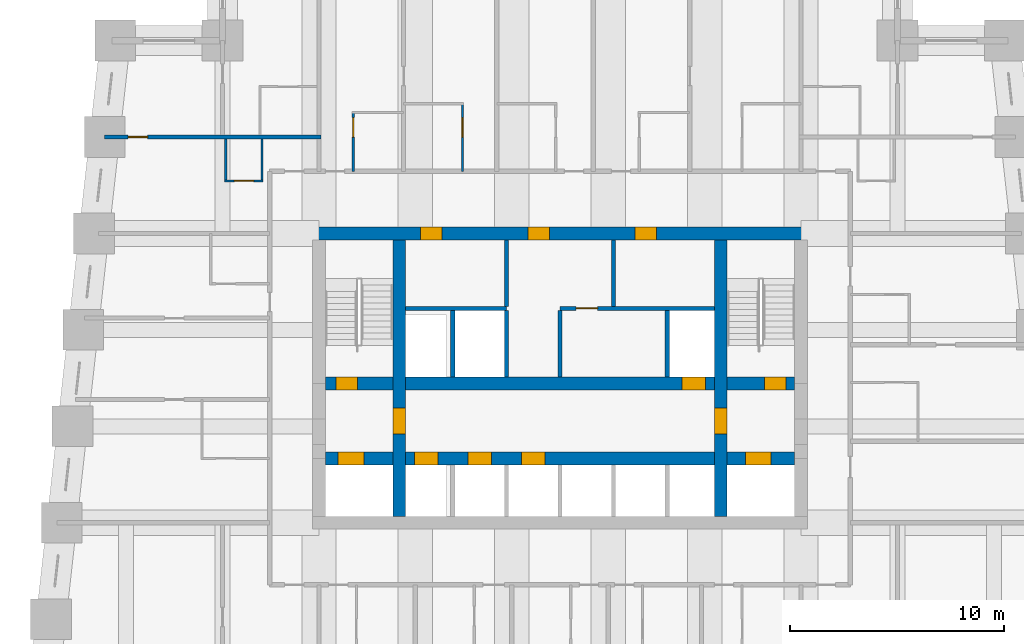
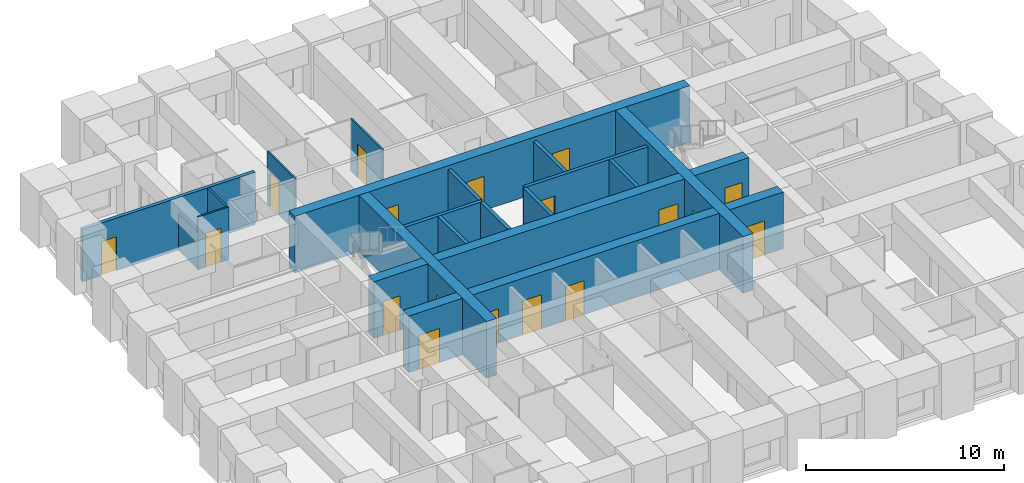
# One storey, part 4 of 8: 19 walls, 18 doors, 18 openings.
"""IFC4 building model written with IfcOpenShell, lengths in metres."""

from ifc_helpers import new_model, si_unit, direction, frame, frame_2d, origin, place, context, subcontext, project, spatial, rectangle, extrude, material, layer, layer_set, type_object, element, fill, save


model = new_model("IFC4")

# Units and contexts
model_context = context("Model", 3, precision=1e-05, world=origin(), true_north=direction((0.0, 1.0)))
body_context = subcontext(model_context, "Body", "Model", "MODEL_VIEW")
ifc_project = project(units=[si_unit("LENGTHUNIT", "METRE"), si_unit("AREAUNIT", "SQUARE_METRE"), si_unit("VOLUMEUNIT", "CUBIC_METRE"), si_unit("PLANEANGLEUNIT", "RADIAN"), si_unit("MASSUNIT", "GRAM", prefix="KILO")], contexts=[model_context])

# Site, building, storey
site_placement = place(None, origin())
site = spatial("IfcSite", under=ifc_project, at=site_placement, CompositionType="ELEMENT")
building_placement = place(site_placement, origin())
building = spatial("IfcBuilding", under=site, at=building_placement, Name="Kilele Tower Hotel", CompositionType="ELEMENT")
storey_placement = place(building_placement, frame((0.0, 0.0, 64.699951171875)))
storey = spatial("IfcBuildingStorey", under=building, at=storey_placement, Name="L15", CompositionType="ELEMENT", Elevation=64.699951171875)

# Wall, opening, door
ifc_material_1 = material(Name="Moisture-resistant board")
ifc_layer_1 = layer(ifc_material_1, 0.10009765625)
ifc_layer_set_1 = layer_set([ifc_layer_1], Name="Moisture-resistant board")
wall_type_1 = type_object("IfcWallType", Name="Bathroom partition 100", PredefinedType="PLUMBINGWALL", material=ifc_layer_set_1)
wall_1_placement = place(storey_placement, frame((15.10009765625, 29.89990234375, 0.0), z_axis=(0.0, 0.0, 1.0), x_axis=(0.0, 1.0, 0.0)))
wall_1 = element("IfcWall", 1, at=wall_1_placement, inside=storey, type_object=wall_type_1, Name="Bathroom partition 100 L15", PredefinedType="PLUMBINGWALL", context=body_context, shape_type="SweptSolid", body=[
    extrude(rectangle(XDim=2.800048828125, YDim=0.10009765625, at=frame_2d((1.39990234375, 0.0))), origin(), (0.0, 0.0, 1.0), 3.25),
])
opening_1_placement = place(wall_1_placement, frame((1.60009765625, 0.0, 0.0)))
opening_1 = element("IfcOpeningElement", 2, at=opening_1_placement, cuts=wall_1, Name="Opening D2A", PredefinedType="OPENING", context=body_context, shape_type="SweptSolid", body=[
    extrude(rectangle(XDim=0.89990234375, YDim=2.10009765625, at=frame_2d((0.449951171875, 1.050048828125))), frame((0.0, 0.06005859375, 0.0), z_axis=(0.0, -1.0, 0.0), x_axis=(1.0, 0.0, 0.0)), (0.0, 0.0, 1.0), 0.1201171875),
])
ifc_material_2 = material(Name="Timber door leaf in hardwood frame", Category="wood")
door_type_1 = type_object("IfcDoorType", Name="Bathroom door 900", OperationType="SINGLE_SWING_LEFT", PredefinedType="DOOR", material=ifc_material_2)
door_1_placement = place(opening_1_placement, origin())
door_1 = element("IfcDoor", 3, at=door_1_placement, inside=storey, type_object=door_type_1, Name="Bathroom door 1509B", OperationType="SINGLE_SWING_LEFT", OverallHeight=2.10009765625, OverallWidth=0.89990234375, PredefinedType="DOOR", context=body_context, shape_type="SweptSolid", body=[
    extrude(rectangle(XDim=0.89990234375, YDim=2.10009765625, at=frame_2d((0.449951171875, 1.050048828125))), frame((0.0, 0.02490234375, 0.0), z_axis=(0.0, -1.0, 0.0), x_axis=(1.0, 0.0, 0.0)), (0.0, 0.0, 1.0), 0.050048828125),
])
fill(opening_1, door_1)

wall_2_placement = place(storey_placement, frame((20.199951171875, 29.89990234375, 0.0), z_axis=(0.0, 0.0, 1.0), x_axis=(0.0, 1.0, 0.0)))
wall_2 = element("IfcWall", 4, at=wall_2_placement, inside=storey, type_object=wall_type_1, Name="Bathroom partition 100 L15", PredefinedType="PLUMBINGWALL", context=body_context, shape_type="SweptSolid", body=[
    extrude(rectangle(XDim=3.2001953125, YDim=0.10009765625, at=frame_2d((1.60009765625, 0.0))), origin(), (0.0, 0.0, 1.0), 3.25),
])
opening_2_placement = place(wall_2_placement, frame((2.5, 0.0, 0.0), z_axis=(0.0, 0.0, 1.0), x_axis=(-1.0, 0.0, 0.0)))
opening_2 = element("IfcOpeningElement", 5, at=opening_2_placement, cuts=wall_2, Name="Opening D2A", PredefinedType="OPENING", context=body_context, shape_type="SweptSolid", body=[
    extrude(rectangle(XDim=0.89990234375, YDim=2.10009765625, at=frame_2d((0.449951171875, 1.050048828125))), frame((0.0, 0.06005859375, 0.0), z_axis=(0.0, -1.0, 0.0), x_axis=(1.0, 0.0, 0.0)), (0.0, 0.0, 1.0), 0.1201171875),
])
door_2_placement = place(opening_2_placement, origin())
door_2 = element("IfcDoor", 6, at=door_2_placement, inside=storey, type_object=door_type_1, Name="Bathroom door 1510B", OperationType="SINGLE_SWING_RIGHT", OverallHeight=2.10009765625, OverallWidth=0.89990234375, PredefinedType="DOOR", context=body_context, shape_type="SweptSolid", body=[
    extrude(rectangle(XDim=0.89990234375, YDim=2.10009765625, at=frame_2d((0.449951171875, 1.050048828125))), frame((0.0, 0.02490234375, 0.0), z_axis=(0.0, -1.0, 0.0), x_axis=(1.0, 0.0, 0.0)), (0.0, 0.0, 1.0), 0.050048828125),
])
fill(opening_2, door_2)

# Walls
wall_3_placement = place(storey_placement, frame((9.14990234375, 31.39990234375, 0.0), z_axis=(0.0, 0.0, 1.0), x_axis=(0.0, -1.0, 0.0)))
element("IfcWall", 7, at=wall_3_placement, inside=storey, type_object=wall_type_1, Name="Bathroom partition 100 L15", PredefinedType="PLUMBINGWALL", context=body_context, shape_type="SweptSolid", body=[
    extrude(rectangle(XDim=2.0, YDim=0.10009765625, at=frame_2d((1.0, 0.0))), origin(), (0.0, 0.0, 1.0), 2.25),
])
wall_4_placement = place(storey_placement, frame((10.85009765625, 31.39990234375, 0.0), z_axis=(0.0, 0.0, 1.0), x_axis=(0.0, -1.0, 0.0)))
element("IfcWall", 8, at=wall_4_placement, inside=storey, type_object=wall_type_1, Name="Bathroom partition 100 L15", PredefinedType="PLUMBINGWALL", context=body_context, shape_type="SweptSolid", body=[
    extrude(rectangle(XDim=2.0, YDim=0.10009765625, at=frame_2d((1.0, 0.0))), origin(), (0.0, 0.0, 1.0), 3.25),
])

# Wall, opening, door
wall_5_placement = place(storey_placement, frame((10.89990234375, 29.449951171875, 0.0), z_axis=(0.0, 0.0, 1.0), x_axis=(-1.0, 0.0, 0.0)))
wall_5 = element("IfcWall", 9, at=wall_5_placement, inside=storey, type_object=wall_type_1, Name="Bathroom partition 100 L15", PredefinedType="PLUMBINGWALL", context=body_context, shape_type="SweptSolid", body=[
    extrude(rectangle(XDim=1.7998046875, YDim=0.10009765625, at=frame_2d((0.89990234375, 0.0))), origin(), (0.0, 0.0, 1.0), 3.25),
])
opening_3_placement = place(wall_5_placement, frame((0.449951171875, 0.0, 0.0)))
opening_3 = element("IfcOpeningElement", 10, at=opening_3_placement, cuts=wall_5, Name="Opening D2A", PredefinedType="OPENING", context=body_context, shape_type="SweptSolid", body=[
    extrude(rectangle(XDim=0.89990234375, YDim=2.10009765625, at=frame_2d((0.449951171875, 1.050048828125))), frame((0.0, 0.06005859375, 0.0), z_axis=(0.0, -1.0, 0.0), x_axis=(1.0, 0.0, 0.0)), (0.0, 0.0, 1.0), 0.1201171875),
])
door_3_placement = place(opening_3_placement, origin())
door_3 = element("IfcDoor", 11, at=door_3_placement, inside=storey, type_object=door_type_1, Name="Bathroom door 1526P", OperationType="SINGLE_SWING_LEFT", OverallHeight=2.10009765625, OverallWidth=0.89990234375, PredefinedType="DOOR", context=body_context, shape_type="SweptSolid", body=[
    extrude(rectangle(XDim=0.89990234375, YDim=2.10009765625, at=frame_2d((0.449951171875, 1.050048828125))), frame((0.0, 0.02490234375, 0.0), z_axis=(0.0, -1.0, 0.0), x_axis=(1.0, 0.0, 0.0)), (0.0, 0.0, 1.0), 0.050048828125),
])
fill(opening_3, door_3)

# Wall, openings, doors
ifc_material_3 = material(Name="Concrete C60/75", Category="concrete")
ifc_layer_2 = layer(ifc_material_3, 0.60009765625)
ifc_layer_set_2 = layer_set([ifc_layer_2], Name="Concrete C60/75")
wall_type_2 = type_object("IfcWallType", Name="Core wall 600 C60/75", PredefinedType="SHEAR", material=ifc_layer_set_2)
wall_6_placement = place(storey_placement, frame((36.300048828125, 27.0, 0.0), z_axis=(0.0, 0.0, 1.0), x_axis=(-1.0, 0.0, 0.0)))
wall_6 = element("IfcWall", 12, at=wall_6_placement, inside=storey, type_object=wall_type_2, Name="Core wall N L15", PredefinedType="SHEAR", context=body_context, shape_type="SweptSolid", body=[
    extrude(rectangle(XDim=23.10009765625, YDim=0.60009765625, at=frame_2d((11.550048828125, 0.0))), origin(), (0.0, 0.0, 1.0), 3.5),
])
opening_4_placement = place(wall_6_placement, frame((17.050048828125, 0.0, 0.0)))
opening_4 = element("IfcOpeningElement", 13, at=opening_4_placement, cuts=wall_6, Name="Opening D6", PredefinedType="OPENING", context=body_context, shape_type="SweptSolid", body=[
    extrude(rectangle(XDim=1.0, YDim=2.10009765625, at=frame_2d((0.5, 1.050048828125))), frame((0.0, 0.31005859375, 0.0), z_axis=(0.0, -1.0, 0.0), x_axis=(1.0, 0.0, 0.0)), (0.0, 0.0, 1.0), 0.6201171875),
])
opening_5_placement = place(wall_6_placement, frame((12.050048828125, 0.0, 0.0)))
opening_5 = element("IfcOpeningElement", 14, at=opening_5_placement, cuts=wall_6, Name="Opening D6", PredefinedType="OPENING", context=body_context, shape_type="SweptSolid", body=[
    extrude(rectangle(XDim=1.0, YDim=2.10009765625, at=frame_2d((0.5, 1.050048828125))), frame((0.0, 0.31005859375, 0.0), z_axis=(0.0, -1.0, 0.0), x_axis=(1.0, 0.0, 0.0)), (0.0, 0.0, 1.0), 0.6201171875),
])
opening_6_placement = place(wall_6_placement, frame((7.050048828125, 0.0, 0.0)))
opening_6 = element("IfcOpeningElement", 15, at=opening_6_placement, cuts=wall_6, Name="Opening D6", PredefinedType="OPENING", context=body_context, shape_type="SweptSolid", body=[
    extrude(rectangle(XDim=1.0, YDim=2.10009765625, at=frame_2d((0.5, 1.050048828125))), frame((0.0, 0.31005859375, 0.0), z_axis=(0.0, -1.0, 0.0), x_axis=(1.0, 0.0, 0.0)), (0.0, 0.0, 1.0), 0.6201171875),
])
ifc_material_4 = material(Name="Timber door leaf in hardwood frame", Category="wood")
door_type_2 = type_object("IfcDoorType", Name="Riser door 1000", OperationType="SINGLE_SWING_LEFT", PredefinedType="DOOR", material=ifc_material_4)
door_4_placement = place(opening_4_placement, origin())
door_4 = element("IfcDoor", 16, at=door_4_placement, inside=storey, type_object=door_type_2, Name="Service riser door L15", OperationType="SINGLE_SWING_RIGHT", OverallHeight=2.10009765625, OverallWidth=1.0, PredefinedType="DOOR", context=body_context, shape_type="SweptSolid", body=[
    extrude(rectangle(XDim=1.0, YDim=2.10009765625, at=frame_2d((0.5, 1.050048828125))), frame((0.0, 0.2998046875, 0.0), z_axis=(0.0, -1.0, 0.0), x_axis=(1.0, 0.0, 0.0)), (0.0, 0.0, 1.0), 0.599609375),
])
fill(opening_4, door_4)
door_5_placement = place(opening_5_placement, origin())
door_5 = element("IfcDoor", 17, at=door_5_placement, inside=storey, type_object=door_type_2, Name="Linen store door L15", OperationType="SINGLE_SWING_RIGHT", OverallHeight=2.10009765625, OverallWidth=1.0, PredefinedType="DOOR", context=body_context, shape_type="SweptSolid", body=[
    extrude(rectangle(XDim=1.0, YDim=2.10009765625, at=frame_2d((0.5, 1.050048828125))), frame((0.0, 0.2998046875, 0.0), z_axis=(0.0, -1.0, 0.0), x_axis=(1.0, 0.0, 0.0)), (0.0, 0.0, 1.0), 0.599609375),
])
fill(opening_5, door_5)
door_6_placement = place(opening_6_placement, origin())
door_6 = element("IfcDoor", 18, at=door_6_placement, inside=storey, type_object=door_type_2, Name="Electrical riser door L15", OperationType="SINGLE_SWING_RIGHT", OverallHeight=2.10009765625, OverallWidth=1.0, PredefinedType="DOOR", context=body_context, shape_type="SweptSolid", body=[
    extrude(rectangle(XDim=1.0, YDim=2.10009765625, at=frame_2d((0.5, 1.050048828125))), frame((0.0, 0.2998046875, 0.0), z_axis=(0.0, -1.0, 0.0), x_axis=(1.0, 0.0, 0.0)), (0.0, 0.0, 1.0), 0.599609375),
])
fill(opening_6, door_6)

# Wall, opening, door
wall_7_placement = place(storey_placement, frame((17.25, 13.800048828125, 0.0), z_axis=(0.0, 0.0, 1.0), x_axis=(0.0, 1.0, 0.0)))
wall_7 = element("IfcWall", 19, at=wall_7_placement, inside=storey, type_object=wall_type_2, Name="Core wall IW L15", PredefinedType="SHEAR", context=body_context, shape_type="SweptSolid", body=[
    extrude(rectangle(XDim=12.89990234375, YDim=0.60009765625, at=frame_2d((6.449951171875, 0.0))), origin(), (0.0, 0.0, 1.0), 3.5),
])
opening_7_placement = place(wall_7_placement, frame((3.85009765625, 0.0, 0.0)))
opening_7 = element("IfcOpeningElement", 20, at=opening_7_placement, cuts=wall_7, Name="Opening D4", PredefinedType="OPENING", context=body_context, shape_type="SweptSolid", body=[
    extrude(rectangle(XDim=1.199951171875, YDim=2.10009765625, at=frame_2d((0.60009765625, 1.050048828125))), frame((0.0, 0.31005859375, 0.0), z_axis=(0.0, -1.0, 0.0), x_axis=(1.0, 0.0, 0.0)), (0.0, 0.0, 1.0), 0.6201171875),
])
ifc_material_5 = material(Name="Timber door leaf in hardwood frame", Category="wood")
door_type_3 = type_object("IfcDoorType", Name="Firefighting lobby door 1200", OperationType="SINGLE_SWING_LEFT", PredefinedType="DOOR", material=ifc_material_5)
door_7_placement = place(opening_7_placement, origin())
door_7 = element("IfcDoor", 21, at=door_7_placement, inside=storey, type_object=door_type_3, Name="Lobby door L15", OperationType="SINGLE_SWING_LEFT", OverallHeight=2.10009765625, OverallWidth=1.199951171875, PredefinedType="DOOR", context=body_context, shape_type="SweptSolid", body=[
    extrude(rectangle(XDim=1.199951171875, YDim=2.10009765625, at=frame_2d((0.60009765625, 1.050048828125))), frame((0.0, 0.2998046875, 0.0), z_axis=(0.0, -1.0, 0.0), x_axis=(1.0, 0.0, 0.0)), (0.0, 0.0, 1.0), 0.599609375),
])
fill(opening_7, door_7)

wall_8_placement = place(storey_placement, frame((32.25, 13.800048828125, 0.0), z_axis=(0.0, 0.0, 1.0), x_axis=(0.0, 1.0, 0.0)))
wall_8 = element("IfcWall", 22, at=wall_8_placement, inside=storey, type_object=wall_type_2, Name="Core wall IE L15", PredefinedType="SHEAR", context=body_context, shape_type="SweptSolid", body=[
    extrude(rectangle(XDim=12.89990234375, YDim=0.60009765625, at=frame_2d((6.449951171875, 0.0))), origin(), (0.0, 0.0, 1.0), 3.5),
])
opening_8_placement = place(wall_8_placement, frame((5.050048828125, 0.0, 0.0), z_axis=(0.0, 0.0, 1.0), x_axis=(-1.0, 0.0, 0.0)))
opening_8 = element("IfcOpeningElement", 23, at=opening_8_placement, cuts=wall_8, Name="Opening D4", PredefinedType="OPENING", context=body_context, shape_type="SweptSolid", body=[
    extrude(rectangle(XDim=1.199951171875, YDim=2.10009765625, at=frame_2d((0.60009765625, 1.050048828125))), frame((0.0, 0.31005859375, 0.0), z_axis=(0.0, -1.0, 0.0), x_axis=(1.0, 0.0, 0.0)), (0.0, 0.0, 1.0), 0.6201171875),
])
door_8_placement = place(opening_8_placement, origin())
door_8 = element("IfcDoor", 24, at=door_8_placement, inside=storey, type_object=door_type_3, Name="Lobby door L15", OperationType="SINGLE_SWING_RIGHT", OverallHeight=2.10009765625, OverallWidth=1.199951171875, PredefinedType="DOOR", context=body_context, shape_type="SweptSolid", body=[
    extrude(rectangle(XDim=1.199951171875, YDim=2.10009765625, at=frame_2d((0.60009765625, 1.050048828125))), frame((0.0, 0.2998046875, 0.0), z_axis=(0.0, -1.0, 0.0), x_axis=(1.0, 0.0, 0.0)), (0.0, 0.0, 1.0), 0.599609375),
])
fill(opening_8, door_8)

# Wall, openings, doors
wall_9_placement = place(storey_placement, frame((13.800048828125, 16.5, 0.0), z_axis=(0.0, 0.0, 1.0), x_axis=(1.0, 0.0, 0.0)))
wall_9 = element("IfcWall", 25, at=wall_9_placement, inside=storey, type_object=wall_type_2, Name="Core wall LS L15", PredefinedType="SHEAR", context=body_context, shape_type="SweptSolid", body=[
    extrude(rectangle(XDim=21.89990234375, YDim=0.60009765625, at=frame_2d((10.949951171875, 0.0))), origin(), (0.0, 0.0, 1.0), 3.5),
])
opening_9_placement = place(wall_9_placement, frame((4.14990234375, 0.0, 0.0)))
opening_9 = element("IfcOpeningElement", 26, at=opening_9_placement, cuts=wall_9, Name="Opening LD1", PredefinedType="OPENING", context=body_context, shape_type="SweptSolid", body=[
    extrude(rectangle(XDim=1.10009765625, YDim=2.10009765625, at=frame_2d((0.550048828125, 1.050048828125))), frame((0.0, 0.31005859375, 0.0), z_axis=(0.0, -1.0, 0.0), x_axis=(1.0, 0.0, 0.0)), (0.0, 0.0, 1.0), 0.6201171875),
])
opening_10_placement = place(wall_9_placement, frame((6.64990234375, 0.0, 0.0)))
opening_10 = element("IfcOpeningElement", 27, at=opening_10_placement, cuts=wall_9, Name="Opening LD1", PredefinedType="OPENING", context=body_context, shape_type="SweptSolid", body=[
    extrude(rectangle(XDim=1.10009765625, YDim=2.10009765625, at=frame_2d((0.550048828125, 1.050048828125))), frame((0.0, 0.31005859375, 0.0), z_axis=(0.0, -1.0, 0.0), x_axis=(1.0, 0.0, 0.0)), (0.0, 0.0, 1.0), 0.6201171875),
])
opening_11_placement = place(wall_9_placement, frame((9.14990234375, 0.0, 0.0)))
opening_11 = element("IfcOpeningElement", 28, at=opening_11_placement, cuts=wall_9, Name="Opening LD1", PredefinedType="OPENING", context=body_context, shape_type="SweptSolid", body=[
    extrude(rectangle(XDim=1.10009765625, YDim=2.10009765625, at=frame_2d((0.550048828125, 1.050048828125))), frame((0.0, 0.31005859375, 0.0), z_axis=(0.0, -1.0, 0.0), x_axis=(1.0, 0.0, 0.0)), (0.0, 0.0, 1.0), 0.6201171875),
])
opening_12_placement = place(wall_9_placement, frame((0.60009765625, 0.0, 0.0)))
opening_12 = element("IfcOpeningElement", 29, at=opening_12_placement, cuts=wall_9, Name="Opening LD2", PredefinedType="OPENING", context=body_context, shape_type="SweptSolid", body=[
    extrude(rectangle(XDim=1.199951171875, YDim=2.10009765625, at=frame_2d((0.60009765625, 1.050048828125))), frame((0.0, 0.31005859375, 0.0), z_axis=(0.0, -1.0, 0.0), x_axis=(1.0, 0.0, 0.0)), (0.0, 0.0, 1.0), 0.6201171875),
])
opening_13_placement = place(wall_9_placement, frame((19.60009765625, 0.0, 0.0)))
opening_13 = element("IfcOpeningElement", 30, at=opening_13_placement, cuts=wall_9, Name="Opening LD2", PredefinedType="OPENING", context=body_context, shape_type="SweptSolid", body=[
    extrude(rectangle(XDim=1.199951171875, YDim=2.10009765625, at=frame_2d((0.60009765625, 1.050048828125))), frame((0.0, 0.31005859375, 0.0), z_axis=(0.0, -1.0, 0.0), x_axis=(1.0, 0.0, 0.0)), (0.0, 0.0, 1.0), 0.6201171875),
])
ifc_material_6 = material(Name="Steel lift landing door", Category="steel")
door_type_4 = type_object("IfcDoorType", Name="Firefighting lift landing door 1200", OperationType="SLIDING_TO_LEFT", PredefinedType="DOOR", material=ifc_material_6)
door_9_placement = place(opening_12_placement, origin())
door_9 = element("IfcDoor", 31, at=door_9_placement, inside=storey, type_object=door_type_4, Name="Landing door FFW L15", OperationType="SLIDING_TO_LEFT", OverallHeight=2.10009765625, OverallWidth=1.199951171875, PredefinedType="DOOR", context=body_context, shape_type="SweptSolid", body=[
    extrude(rectangle(XDim=1.199951171875, YDim=2.10009765625, at=frame_2d((0.60009765625, 1.050048828125))), frame((0.0, 0.2998046875, 0.0), z_axis=(0.0, -1.0, 0.0), x_axis=(1.0, 0.0, 0.0)), (0.0, 0.0, 1.0), 0.599609375),
])
fill(opening_12, door_9)
door_10_placement = place(opening_13_placement, origin())
door_10 = element("IfcDoor", 32, at=door_10_placement, inside=storey, type_object=door_type_4, Name="Landing door FFE L15", OperationType="SLIDING_TO_LEFT", OverallHeight=2.10009765625, OverallWidth=1.199951171875, PredefinedType="DOOR", context=body_context, shape_type="SweptSolid", body=[
    extrude(rectangle(XDim=1.199951171875, YDim=2.10009765625, at=frame_2d((0.60009765625, 1.050048828125))), frame((0.0, 0.2998046875, 0.0), z_axis=(0.0, -1.0, 0.0), x_axis=(1.0, 0.0, 0.0)), (0.0, 0.0, 1.0), 0.599609375),
])
fill(opening_13, door_10)
ifc_material_7 = material(Name="Steel lift landing door", Category="steel")
door_type_5 = type_object("IfcDoorType", Name="Lift landing door 1100", OperationType="SLIDING_TO_LEFT", PredefinedType="DOOR", material=ifc_material_7)
door_11_placement = place(opening_9_placement, origin())
door_11 = element("IfcDoor", 33, at=door_11_placement, inside=storey, type_object=door_type_5, Name="Landing door L1 L15", OperationType="SLIDING_TO_LEFT", OverallHeight=2.10009765625, OverallWidth=1.10009765625, PredefinedType="DOOR", context=body_context, shape_type="SweptSolid", body=[
    extrude(rectangle(XDim=1.10009765625, YDim=2.10009765625, at=frame_2d((0.550048828125, 1.050048828125))), frame((0.0, 0.2998046875, 0.0), z_axis=(0.0, -1.0, 0.0), x_axis=(1.0, 0.0, 0.0)), (0.0, 0.0, 1.0), 0.599609375),
])
fill(opening_9, door_11)
door_12_placement = place(opening_10_placement, origin())
door_12 = element("IfcDoor", 34, at=door_12_placement, inside=storey, type_object=door_type_5, Name="Landing door L2 L15", OperationType="SLIDING_TO_LEFT", OverallHeight=2.10009765625, OverallWidth=1.10009765625, PredefinedType="DOOR", context=body_context, shape_type="SweptSolid", body=[
    extrude(rectangle(XDim=1.10009765625, YDim=2.10009765625, at=frame_2d((0.550048828125, 1.050048828125))), frame((0.0, 0.2998046875, 0.0), z_axis=(0.0, -1.0, 0.0), x_axis=(1.0, 0.0, 0.0)), (0.0, 0.0, 1.0), 0.599609375),
])
fill(opening_10, door_12)
door_13_placement = place(opening_11_placement, origin())
door_13 = element("IfcDoor", 35, at=door_13_placement, inside=storey, type_object=door_type_5, Name="Landing door L3 L15", OperationType="SLIDING_TO_LEFT", OverallHeight=2.10009765625, OverallWidth=1.10009765625, PredefinedType="DOOR", context=body_context, shape_type="SweptSolid", body=[
    extrude(rectangle(XDim=1.10009765625, YDim=2.10009765625, at=frame_2d((0.550048828125, 1.050048828125))), frame((0.0, 0.2998046875, 0.0), z_axis=(0.0, -1.0, 0.0), x_axis=(1.0, 0.0, 0.0)), (0.0, 0.0, 1.0), 0.599609375),
])
fill(opening_11, door_13)

wall_10_placement = place(storey_placement, frame((13.800048828125, 20.0, 0.0), z_axis=(0.0, 0.0, 1.0), x_axis=(1.0, 0.0, 0.0)))
wall_10 = element("IfcWall", 36, at=wall_10_placement, inside=storey, type_object=wall_type_2, Name="Core wall LN L15", PredefinedType="SHEAR", context=body_context, shape_type="SweptSolid", body=[
    extrude(rectangle(XDim=21.89990234375, YDim=0.60009765625, at=frame_2d((10.949951171875, 0.0))), origin(), (0.0, 0.0, 1.0), 3.5),
])
opening_14_placement = place(wall_10_placement, frame((0.5, 0.0, 0.0)))
opening_14 = element("IfcOpeningElement", 37, at=opening_14_placement, cuts=wall_10, Name="Opening D5", PredefinedType="OPENING", context=body_context, shape_type="SweptSolid", body=[
    extrude(rectangle(XDim=1.0, YDim=2.10009765625, at=frame_2d((0.5, 1.050048828125))), frame((0.0, 0.31005859375, 0.0), z_axis=(0.0, -1.0, 0.0), x_axis=(1.0, 0.0, 0.0)), (0.0, 0.0, 1.0), 0.6201171875),
])
opening_15_placement = place(wall_10_placement, frame((20.5, 0.0, 0.0)))
opening_15 = element("IfcOpeningElement", 38, at=opening_15_placement, cuts=wall_10, Name="Opening D5", PredefinedType="OPENING", context=body_context, shape_type="SweptSolid", body=[
    extrude(rectangle(XDim=1.0, YDim=2.10009765625, at=frame_2d((0.5, 1.050048828125))), frame((0.0, 0.31005859375, 0.0), z_axis=(0.0, -1.0, 0.0), x_axis=(1.0, 0.0, 0.0)), (0.0, 0.0, 1.0), 0.6201171875),
])
opening_16_placement = place(wall_10_placement, frame((16.64990234375, 0.0, 0.0)))
opening_16 = element("IfcOpeningElement", 39, at=opening_16_placement, cuts=wall_10, Name="Opening LD1", PredefinedType="OPENING", context=body_context, shape_type="SweptSolid", body=[
    extrude(rectangle(XDim=1.10009765625, YDim=2.10009765625, at=frame_2d((0.550048828125, 1.050048828125))), frame((0.0, 0.31005859375, 0.0), z_axis=(0.0, -1.0, 0.0), x_axis=(1.0, 0.0, 0.0)), (0.0, 0.0, 1.0), 0.6201171875),
])
door_14_placement = place(opening_16_placement, origin())
door_14 = element("IfcDoor", 40, at=door_14_placement, inside=storey, type_object=door_type_5, Name="Landing door G1 L15", OperationType="SLIDING_TO_LEFT", OverallHeight=2.10009765625, OverallWidth=1.10009765625, PredefinedType="DOOR", context=body_context, shape_type="SweptSolid", body=[
    extrude(rectangle(XDim=1.10009765625, YDim=2.10009765625, at=frame_2d((0.550048828125, 1.050048828125))), frame((0.0, 0.2998046875, 0.0), z_axis=(0.0, -1.0, 0.0), x_axis=(1.0, 0.0, 0.0)), (0.0, 0.0, 1.0), 0.599609375),
])
fill(opening_16, door_14)
ifc_material_8 = material(Name="Timber door leaf in hardwood frame", Category="wood")
door_type_6 = type_object("IfcDoorType", Name="Stair door 1000", OperationType="SINGLE_SWING_LEFT", PredefinedType="DOOR", material=ifc_material_8)
door_15_placement = place(opening_14_placement, origin())
door_15 = element("IfcDoor", 41, at=door_15_placement, inside=storey, type_object=door_type_6, Name="Stair 1 door L15", OperationType="SINGLE_SWING_LEFT", OverallHeight=2.10009765625, OverallWidth=1.0, PredefinedType="DOOR", context=body_context, shape_type="SweptSolid", body=[
    extrude(rectangle(XDim=1.0, YDim=2.10009765625, at=frame_2d((0.5, 1.050048828125))), frame((0.0, 0.2998046875, 0.0), z_axis=(0.0, -1.0, 0.0), x_axis=(1.0, 0.0, 0.0)), (0.0, 0.0, 1.0), 0.599609375),
])
fill(opening_14, door_15)
door_16_placement = place(opening_15_placement, origin())
door_16 = element("IfcDoor", 42, at=door_16_placement, inside=storey, type_object=door_type_6, Name="Stair 2 door L15", OperationType="SINGLE_SWING_RIGHT", OverallHeight=2.10009765625, OverallWidth=1.0, PredefinedType="DOOR", context=body_context, shape_type="SweptSolid", body=[
    extrude(rectangle(XDim=1.0, YDim=2.10009765625, at=frame_2d((0.5, 1.050048828125))), frame((0.0, 0.2998046875, 0.0), z_axis=(0.0, -1.0, 0.0), x_axis=(1.0, 0.0, 0.0)), (0.0, 0.0, 1.0), 0.599609375),
])
fill(opening_15, door_16)

# Wall, opening, door
ifc_material_9 = material(Name="Blockwork, plastered both sides", Category="masonry")
ifc_layer_3 = layer(ifc_material_9, 0.199951171875)
ifc_layer_set_3 = layer_set([ifc_layer_3], Name="Blockwork, plastered both sides")
wall_type_3 = type_object("IfcWallType", Name="Party wall 200", PredefinedType="PARTITIONING", material=ifc_layer_set_3)
wall_11_placement = place(storey_placement, frame((13.60009765625, 31.5, 0.0), z_axis=(0.0, 0.0, 1.0), x_axis=(-1.0, 0.0, 0.0)))
wall_11 = element("IfcWall", 43, at=wall_11_placement, inside=storey, type_object=wall_type_3, Name="Party wall 200 L15", PredefinedType="PARTITIONING", context=body_context, shape_type="SweptSolid", body=[
    extrude(rectangle(XDim=10.09912109375, YDim=0.199951171875, at=frame_2d((5.049560546875, 0.0))), origin(), (0.0, 0.0, 1.0), 3.25),
])
opening_17_placement = place(wall_11_placement, frame((8.9990234375, 0.0, 0.0), z_axis=(0.0, 0.0, 1.0), x_axis=(-1.0, 0.0, 0.0)))
opening_17 = element("IfcOpeningElement", 44, at=opening_17_placement, cuts=wall_11, Name="Opening D3", PredefinedType="OPENING", context=body_context, shape_type="SweptSolid", body=[
    extrude(rectangle(XDim=0.89990234375, YDim=2.10009765625, at=frame_2d((0.449951171875, 1.050048828125))), frame((0.0, 0.10986328125, 0.0), z_axis=(0.0, -1.0, 0.0), x_axis=(1.0, 0.0, 0.0)), (0.0, 0.0, 1.0), 0.219970703125),
])
ifc_material_10 = material(Name="Timber door leaf in hardwood frame", Category="wood")
door_type_7 = type_object("IfcDoorType", Name="Suite internal door 900", OperationType="SINGLE_SWING_LEFT", PredefinedType="DOOR", material=ifc_material_10)
door_17_placement = place(opening_17_placement, origin())
door_17 = element("IfcDoor", 45, at=door_17_placement, inside=storey, type_object=door_type_7, Name="Suite door 1527", OperationType="SINGLE_SWING_LEFT", OverallHeight=2.10009765625, OverallWidth=0.89990234375, PredefinedType="DOOR", context=body_context, shape_type="SweptSolid", body=[
    extrude(rectangle(XDim=0.89990234375, YDim=2.10009765625, at=frame_2d((0.449951171875, 1.050048828125))), frame((0.0, 0.02490234375, 0.0), z_axis=(0.0, -1.0, 0.0), x_axis=(1.0, 0.0, 0.0)), (0.0, 0.0, 1.0), 0.050048828125),
])
fill(opening_17, door_17)

# Walls
ifc_material_11 = material(Name="Blockwork, fire-rated", Category="masonry")
ifc_layer_4 = layer(ifc_material_11, 0.199951171875)
ifc_layer_set_4 = layer_set([ifc_layer_4], Name="Blockwork, fire-rated")
wall_type_4 = type_object("IfcWallType", Name="Shaft wall 200", PredefinedType="PARTITIONING", material=ifc_layer_set_4)
for number, where, z_axis, x_axis, name in (
    (46, (19.75, 20.300048828125, 0.0), (0.0, 0.0, 1.0), (0.0, 1.0, 0.0), "Shaft wall 200 L15"),
    (47, (22.25, 20.300048828125, 0.0), (0.0, 0.0, 1.0), (0.0, 1.0, 0.0), "Shaft wall 200 L15"),
    (48, (24.75, 20.300048828125, 0.0), (0.0, 0.0, 1.0), (0.0, 1.0, 0.0), "Shaft wall 200 L15"),
    (49, (29.75, 20.300048828125, 0.0), (0.0, 0.0, 1.0), (0.0, 1.0, 0.0), "Shaft wall 200 L15"),
):
    element("IfcWall", number, at=place(storey_placement, frame(where, z_axis=z_axis, x_axis=x_axis)), inside=storey, type_object=wall_type_4, Name=name, PredefinedType="PARTITIONING", context=body_context, shape_type="SweptSolid", body=[
        extrude(rectangle(XDim=3.099853515625, YDim=0.199951171875, at=frame_2d((1.5498046875, 0.0))), origin(), (0.0, 0.0, 1.0), 3.25),
    ])
wall_12_placement = place(storey_placement, frame((17.550048828125, 23.5, 0.0), z_axis=(0.0, 0.0, 1.0), x_axis=(1.0, 0.0, 0.0)))
element("IfcWall", 50, at=wall_12_placement, inside=storey, type_object=wall_type_4, Name="Shaft wall 200 L15", PredefinedType="PARTITIONING", context=body_context, shape_type="SweptSolid", body=[
    extrude(rectangle(XDim=4.699951171875, YDim=0.199951171875, at=frame_2d((2.35009765625, 0.0))), origin(), (0.0, 0.0, 1.0), 3.25),
])

# Wall, opening, door
wall_13_placement = place(storey_placement, frame((24.75, 23.5, 0.0), z_axis=(0.0, 0.0, 1.0), x_axis=(1.0, 0.0, 0.0)))
wall_13 = element("IfcWall", 51, at=wall_13_placement, inside=storey, type_object=wall_type_4, Name="Shaft wall 200 L15", PredefinedType="PARTITIONING", context=body_context, shape_type="SweptSolid", body=[
    extrude(rectangle(XDim=7.199951171875, YDim=0.199951171875, at=frame_2d((3.60009765625, 0.0))), origin(), (0.0, 0.0, 1.0), 3.25),
])
opening_18_placement = place(wall_13_placement, frame((0.75, 0.0, 0.0)))
opening_18 = element("IfcOpeningElement", 52, at=opening_18_placement, cuts=wall_13, Name="Opening D11", PredefinedType="OPENING", context=body_context, shape_type="SweptSolid", body=[
    extrude(rectangle(XDim=1.0, YDim=2.10009765625, at=frame_2d((0.5, 1.050048828125))), frame((0.0, 0.10986328125, 0.0), z_axis=(0.0, -1.0, 0.0), x_axis=(1.0, 0.0, 0.0)), (0.0, 0.0, 1.0), 0.219970703125),
])
ifc_material_12 = material(Name="Timber door leaf in hardwood frame", Category="wood")
door_type_8 = type_object("IfcDoorType", Name="Core store door 1000", OperationType="SINGLE_SWING_LEFT", PredefinedType="DOOR", material=ifc_material_12)
door_18_placement = place(opening_18_placement, origin())
door_18 = element("IfcDoor", 53, at=door_18_placement, inside=storey, type_object=door_type_8, Name="Core room door H2", OperationType="SINGLE_SWING_RIGHT", OverallHeight=2.10009765625, OverallWidth=1.0, PredefinedType="DOOR", context=body_context, shape_type="SweptSolid", body=[
    extrude(rectangle(XDim=1.0, YDim=2.10009765625, at=frame_2d((0.5, 1.050048828125))), frame((0.0, 0.02490234375, 0.0), z_axis=(0.0, -1.0, 0.0), x_axis=(1.0, 0.0, 0.0)), (0.0, 0.0, 1.0), 0.050048828125),
])
fill(opening_18, door_18)

# Walls
for number, where, z_axis, x_axis, name in (
    (54, (22.25, 23.60009765625, 0.0), (0.0, 0.0, 1.0), (0.0, 1.0, 0.0), "Shaft wall 200 L15"),
    (55, (27.25, 23.60009765625, 0.0), (0.0, 0.0, 1.0), (0.0, 1.0, 0.0), "Shaft wall 200 L15"),
):
    element("IfcWall", number, at=place(storey_placement, frame(where, z_axis=z_axis, x_axis=x_axis)), inside=storey, type_object=wall_type_4, Name=name, PredefinedType="PARTITIONING", context=body_context, shape_type="SweptSolid", body=[
        extrude(rectangle(XDim=3.099853515625, YDim=0.199951171875, at=frame_2d((1.5498046875, 0.0))), origin(), (0.0, 0.0, 1.0), 3.25),
    ])

save(model, "model.ifc")
